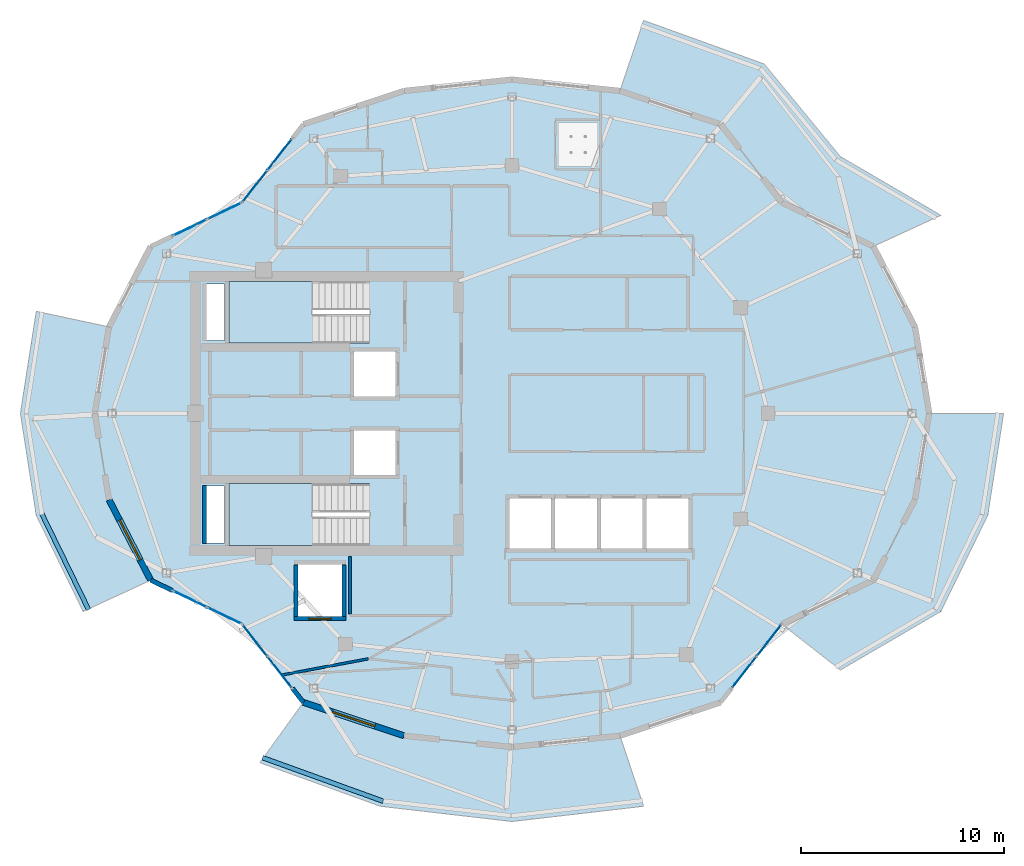
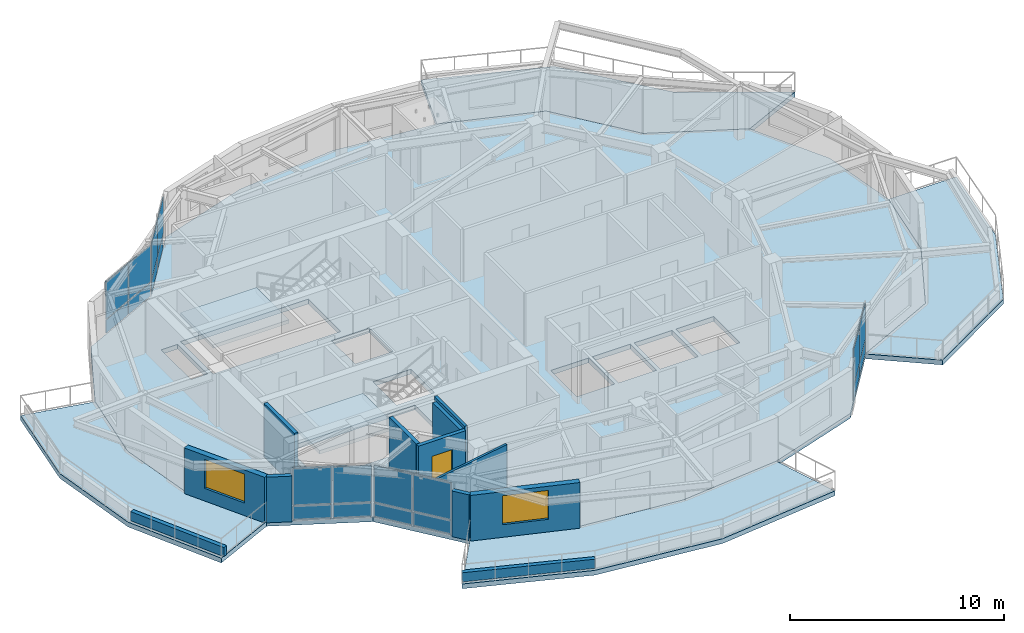
# One storey, part 7 of 15: 25 plates, 12 walls, 7 slabs, 2 windows, 1 door, 3 openings, 7 elements without a shape of their own.
"""IFC4 building model written with IfcOpenShell, lengths in metres."""

from ifc_helpers import new_model, si_unit, direction, frame, frame_2d, origin, origin_2d, place, context, subcontext, project, spatial, polyline, rectangle, outline, extrude, material, layer, layer_set, type_object, element, fill, aggregate, save


model = new_model("IFC4")

# Units and contexts
model_context = context("Model", 3, precision=1e-05, world=origin(), true_north=direction((0.0, 1.0)))
body_context = subcontext(model_context, "Body", "Model", "MODEL_VIEW")
ifc_project = project(units=[si_unit("LENGTHUNIT", "METRE"), si_unit("AREAUNIT", "SQUARE_METRE"), si_unit("VOLUMEUNIT", "CUBIC_METRE"), si_unit("PLANEANGLEUNIT", "RADIAN"), si_unit("MASSUNIT", "GRAM", prefix="KILO")], contexts=[model_context])

# Site, building, storey
site_placement = place(None, origin())
site = spatial("IfcSite", under=ifc_project, at=site_placement, CompositionType="ELEMENT")
building_placement = place(site_placement, origin())
building = spatial("IfcBuilding", under=site, at=building_placement, Name="Kolvaren Gate Tower and Convention Centre", CompositionType="ELEMENT")
storey_placement = place(building_placement, frame((0.0, 0.0, 265.699951171875)))
storey = spatial("IfcBuildingStorey", under=building, at=storey_placement, Name="L72", CompositionType="ELEMENT", Elevation=265.699951171875)

# Plates
ifc_material_1 = material(Name="Perforated Anodized Bronze Aluminium Sheet 6 mm", Category="aluminium")
ifc_layer_1 = layer(ifc_material_1, 0.011962890625)
ifc_layer_set_1 = layer_set([ifc_layer_1], Name="Perforated Anodized Bronze Aluminium Sheet 6 mm")
plate_type_1 = type_object("IfcPlateType", Name="ARCH-PL-SCREEN-PERF", PredefinedType="SHEET", material=ifc_layer_set_1)
for number, where, z_axis, x_axis, name in (
    (1, (18.352783203125, 39.2998046875, 2.18994140625), (0.0, 0.0, 1.0), (0.616429996253, 0.787409715281, 0.0), "Tower L72 Perforated Bronze Solar Screen SS-08"),
    (2, (14.59521484375, 36.2939453125, 2.18994140625), (0.0, 0.0, 1.0), (0.901356122373, 0.433078677218, 0.0), "Tower L72 Perforated Bronze Solar Screen SS-09"),
    (3, (14.59521484375, 17.7060546875, 2.18994140625), (0.0, 0.0, 1.0), (0.901356122373, -0.433078677218, 0.0), "Tower L72 Perforated Bronze Solar Screen SS-14"),
    (4, (18.352783203125, 14.7001953125, 2.18994140625), (0.0, 0.0, 1.0), (0.616429996253, -0.787409715281, 0.0), "Tower L72 Perforated Bronze Solar Screen SS-15"),
    (5, (41.897216796875, 14.7001953125, 2.18994140625), (0.0, 0.0, 1.0), (0.616429996253, 0.787409715281, 0.0), "Tower L72 Perforated Bronze Solar Screen SS-20"),
):
    element("IfcPlate", number, at=place(storey_placement, frame(where, z_axis=z_axis, x_axis=x_axis)), inside=storey, type_object=plate_type_1, Name=name, PredefinedType="SHEET", context=body_context, shape_type="SweptSolid", body=[
        extrude(rectangle(XDim=2.60009765625, YDim=0.011962890625, at=origin_2d()), origin(), (0.0, 0.0, 1.0), 0.840087890625),
    ])

# Curtain wall, plates
ifc_material_2 = material(Name="Anodized Architectural Aluminium Alloy 6063-T6", Category="aluminium")
ifc_layer_2 = layer(ifc_material_2, 0.159912109375)
ifc_layer_set_2 = layer_set([ifc_layer_2], Name="Anodized Architectural Aluminium Alloy 6063-T6")
curtain_wall_type = type_object("IfcCurtainWallType", Name="CW-RES-UNIT", PredefinedType="NOTDEFINED", material=ifc_layer_set_2)
curtain_wall_1_placement = place(storey_placement, origin())
curtain_wall_1 = element("IfcCurtainWall", 6, at=curtain_wall_1_placement, inside=storey, type_object=curtain_wall_type, Name="Tower L72 Unitised Curtain Wall CW-RES-UNIT Bay 08", PredefinedType="NOTDEFINED")
ifc_material_3 = material(Name="Low-E Triple Insulated Glazing Unit 44 mm", Category="glass")
ifc_layer_3 = layer(ifc_material_3, 0.0439453125)
ifc_layer_set_3 = layer_set([ifc_layer_3], Name="Low-E Triple Insulated Glazing Unit 44 mm")
plate_type_2 = type_object("IfcPlateType", Name="CW-PL-IGU-44", PredefinedType="CURTAIN_PANEL", material=ifc_layer_set_3)
plate_1_placement = place(storey_placement, frame((17.474365234375, 38.177978515625, 0.882568359375), z_axis=(0.0, 0.0, 1.0), x_axis=(0.616425867976, 0.787412947119, 0.0)))
plate_1 = element("IfcPlate", 7, at=plate_1_placement, type_object=plate_type_2, Name="CW-04 panel 1.2", PredefinedType="CURTAIN_PANEL", context=body_context, shape_type="SweptSolid", body=[
    extrude(rectangle(XDim=1.908447265625, YDim=0.0439453125, at=origin_2d()), origin(), (0.0, 0.0, 1.0), 2.08251953125),
])
plate_2_placement = place(storey_placement, frame((18.69091796875, 39.73193359375, 0.882568359375), z_axis=(0.0, 0.0, 1.0), x_axis=(0.616425867976, 0.787412947119, 0.0)))
plate_2 = element("IfcPlate", 8, at=plate_2_placement, type_object=plate_type_2, Name="CW-04 panel 2.2", PredefinedType="CURTAIN_PANEL", context=body_context, shape_type="SweptSolid", body=[
    extrude(rectangle(XDim=1.908447265625, YDim=0.0439453125, at=origin_2d()), origin(), (0.0, 0.0, 1.0), 2.08251953125),
])

curtain_wall_2_placement = place(storey_placement, origin())
curtain_wall_2 = element("IfcCurtainWall", 9, at=curtain_wall_2_placement, inside=storey, type_object=curtain_wall_type, Name="Tower L72 Unitised Curtain Wall CW-RES-UNIT Bay 09", PredefinedType="NOTDEFINED")
plate_3_placement = place(storey_placement, frame((14.282958984375, 36.143798828125, 0.882568359375), z_axis=(0.0, 0.0, 1.0), x_axis=(0.901360122469, 0.433070351816, 0.0)))
plate_3 = element("IfcPlate", 10, at=plate_3_placement, type_object=plate_type_2, Name="CW-04 panel 1.2", PredefinedType="CURTAIN_PANEL", context=body_context, shape_type="SweptSolid", body=[
    extrude(rectangle(XDim=1.80908203125, YDim=0.0439453125, at=origin_2d()), origin(), (0.0, 0.0, 1.0), 2.08251953125),
])
plate_4_placement = place(storey_placement, frame((15.97216796875, 36.95556640625, 0.882568359375), z_axis=(0.0, 0.0, 1.0), x_axis=(0.901360122469, 0.433070351816, 0.0)))
plate_4 = element("IfcPlate", 11, at=plate_4_placement, type_object=plate_type_2, Name="CW-04 panel 2.2", PredefinedType="CURTAIN_PANEL", context=body_context, shape_type="SweptSolid", body=[
    extrude(rectangle(XDim=1.80908203125, YDim=0.0439453125, at=origin_2d()), origin(), (0.0, 0.0, 1.0), 2.08251953125),
])

curtain_wall_3_placement = place(storey_placement, origin())
curtain_wall_3 = element("IfcCurtainWall", 12, at=curtain_wall_3_placement, inside=storey, type_object=curtain_wall_type, Name="Tower L72 Unitised Curtain Wall CW-RES-UNIT Bay 14", PredefinedType="NOTDEFINED")
plate_5_placement = place(storey_placement, frame((14.282958984375, 17.856201171875, 0.882568359375), z_axis=(0.0, 0.0, 1.0), x_axis=(0.901360122469, -0.433070351816, 0.0)))
plate_5 = element("IfcPlate", 13, at=plate_5_placement, type_object=plate_type_2, Name="CW-04 panel 1.2", PredefinedType="CURTAIN_PANEL", context=body_context, shape_type="SweptSolid", body=[
    extrude(rectangle(XDim=1.80908203125, YDim=0.0439453125, at=origin_2d()), origin(), (0.0, 0.0, 1.0), 2.08251953125),
])
plate_6_placement = place(storey_placement, frame((15.97216796875, 17.04443359375, 0.882568359375), z_axis=(0.0, 0.0, 1.0), x_axis=(0.901360122469, -0.433070351816, 0.0)))
plate_6 = element("IfcPlate", 14, at=plate_6_placement, type_object=plate_type_2, Name="CW-04 panel 2.2", PredefinedType="CURTAIN_PANEL", context=body_context, shape_type="SweptSolid", body=[
    extrude(rectangle(XDim=1.80908203125, YDim=0.0439453125, at=origin_2d()), origin(), (0.0, 0.0, 1.0), 2.08251953125),
])

curtain_wall_4_placement = place(storey_placement, origin())
curtain_wall_4 = element("IfcCurtainWall", 15, at=curtain_wall_4_placement, inside=storey, type_object=curtain_wall_type, Name="Tower L72 Unitised Curtain Wall CW-RES-UNIT Bay 15", PredefinedType="NOTDEFINED")
plate_7_placement = place(storey_placement, frame((17.474365234375, 15.822021484375, 0.882568359375), z_axis=(0.0, 0.0, 1.0), x_axis=(0.616425867976, -0.787412947119, 0.0)))
plate_7 = element("IfcPlate", 16, at=plate_7_placement, type_object=plate_type_2, Name="CW-04 panel 1.2", PredefinedType="CURTAIN_PANEL", context=body_context, shape_type="SweptSolid", body=[
    extrude(rectangle(XDim=1.908447265625, YDim=0.0439453125, at=origin_2d()), origin(), (0.0, 0.0, 1.0), 2.08251953125),
])
plate_8_placement = place(storey_placement, frame((18.69091796875, 14.26806640625, 0.882568359375), z_axis=(0.0, 0.0, 1.0), x_axis=(0.616425867976, -0.787412947119, 0.0)))
plate_8 = element("IfcPlate", 17, at=plate_8_placement, type_object=plate_type_2, Name="CW-04 panel 2.2", PredefinedType="CURTAIN_PANEL", context=body_context, shape_type="SweptSolid", body=[
    extrude(rectangle(XDim=1.908447265625, YDim=0.0439453125, at=origin_2d()), origin(), (0.0, 0.0, 1.0), 2.08251953125),
])

curtain_wall_5_placement = place(storey_placement, origin())
curtain_wall_5 = element("IfcCurtainWall", 18, at=curtain_wall_5_placement, inside=storey, type_object=curtain_wall_type, Name="Tower L72 Unitised Curtain Wall CW-RES-UNIT Bay 20", PredefinedType="NOTDEFINED")
plate_9_placement = place(storey_placement, frame((41.558837890625, 14.267822265625, 0.882568359375), z_axis=(0.0, 0.0, 1.0), x_axis=(0.616432579226, 0.787407693173, 0.0)))
plate_9 = element("IfcPlate", 19, at=plate_9_placement, type_object=plate_type_2, Name="CW-04 panel 1.2", PredefinedType="CURTAIN_PANEL", context=body_context, shape_type="SweptSolid", body=[
    extrude(rectangle(XDim=1.90869140625, YDim=0.0439453125, at=origin_2d()), origin(), (0.0, 0.0, 1.0), 2.08251953125),
])
plate_10_placement = place(storey_placement, frame((42.775634765625, 15.822021484375, 0.882568359375), z_axis=(0.0, 0.0, 1.0), x_axis=(0.616432579226, 0.787407693173, 0.0)))
plate_10 = element("IfcPlate", 20, at=plate_10_placement, type_object=plate_type_2, Name="CW-04 panel 2.2", PredefinedType="CURTAIN_PANEL", context=body_context, shape_type="SweptSolid", body=[
    extrude(rectangle(XDim=1.90869140625, YDim=0.0439453125, at=origin_2d()), origin(), (0.0, 0.0, 1.0), 2.08251953125),
])

# Plate
ifc_material_4 = material(Name="Solar-Control Laminated Curtain Glazing 36 mm", Category="glass")
ifc_layer_4 = layer(ifc_material_4, 0.035888671875)
ifc_layer_set_4 = layer_set([ifc_layer_4], Name="Solar-Control Laminated Curtain Glazing 36 mm")
plate_type_3 = type_object("IfcPlateType", Name="CW-PL-SPAN-36", PredefinedType="CURTAIN_PANEL", material=ifc_layer_set_4)
plate_11_placement = place(storey_placement, frame((17.474365234375, 38.177978515625, 0.065185546875), z_axis=(0.0, 0.0, 1.0), x_axis=(0.616425867976, 0.787412947119, 0.0)))
plate_11 = element("IfcPlate", 21, at=plate_11_placement, type_object=plate_type_3, Name="CW-04 panel 1.1", PredefinedType="CURTAIN_PANEL", context=body_context, shape_type="SweptSolid", body=[
    extrude(rectangle(XDim=1.908447265625, YDim=0.035888671875, at=origin_2d()), origin(), (0.0, 0.0, 1.0), 0.75244140625),
])

plate_12_placement = place(storey_placement, frame((18.69091796875, 39.73193359375, 0.065185546875), z_axis=(0.0, 0.0, 1.0), x_axis=(0.616425867976, 0.787412947119, 0.0)))
plate_12 = element("IfcPlate", 22, at=plate_12_placement, type_object=plate_type_3, Name="CW-04 panel 2.1", PredefinedType="CURTAIN_PANEL", context=body_context, shape_type="SweptSolid", body=[
    extrude(rectangle(XDim=1.908447265625, YDim=0.035888671875, at=origin_2d()), origin(), (0.0, 0.0, 1.0), 0.75244140625),
])

aggregate(curtain_wall_1, [plate_11, plate_1, plate_12, plate_2])

plate_13_placement = place(storey_placement, frame((14.282958984375, 36.143798828125, 0.065185546875), z_axis=(0.0, 0.0, 1.0), x_axis=(0.901360122469, 0.433070351816, 0.0)))
plate_13 = element("IfcPlate", 23, at=plate_13_placement, type_object=plate_type_3, Name="CW-04 panel 1.1", PredefinedType="CURTAIN_PANEL", context=body_context, shape_type="SweptSolid", body=[
    extrude(rectangle(XDim=1.80908203125, YDim=0.035888671875, at=origin_2d()), origin(), (0.0, 0.0, 1.0), 0.75244140625),
])

plate_14_placement = place(storey_placement, frame((15.97216796875, 36.95556640625, 0.065185546875), z_axis=(0.0, 0.0, 1.0), x_axis=(0.901360122469, 0.433070351816, 0.0)))
plate_14 = element("IfcPlate", 24, at=plate_14_placement, type_object=plate_type_3, Name="CW-04 panel 2.1", PredefinedType="CURTAIN_PANEL", context=body_context, shape_type="SweptSolid", body=[
    extrude(rectangle(XDim=1.80908203125, YDim=0.035888671875, at=origin_2d()), origin(), (0.0, 0.0, 1.0), 0.75244140625),
])

aggregate(curtain_wall_2, [plate_13, plate_3, plate_14, plate_4])

plate_15_placement = place(storey_placement, frame((14.282958984375, 17.856201171875, 0.065185546875), z_axis=(0.0, 0.0, 1.0), x_axis=(0.901360122469, -0.433070351816, 0.0)))
plate_15 = element("IfcPlate", 25, at=plate_15_placement, type_object=plate_type_3, Name="CW-04 panel 1.1", PredefinedType="CURTAIN_PANEL", context=body_context, shape_type="SweptSolid", body=[
    extrude(rectangle(XDim=1.80908203125, YDim=0.035888671875, at=origin_2d()), origin(), (0.0, 0.0, 1.0), 0.75244140625),
])

plate_16_placement = place(storey_placement, frame((15.97216796875, 17.04443359375, 0.065185546875), z_axis=(0.0, 0.0, 1.0), x_axis=(0.901360122469, -0.433070351816, 0.0)))
plate_16 = element("IfcPlate", 26, at=plate_16_placement, type_object=plate_type_3, Name="CW-04 panel 2.1", PredefinedType="CURTAIN_PANEL", context=body_context, shape_type="SweptSolid", body=[
    extrude(rectangle(XDim=1.80908203125, YDim=0.035888671875, at=origin_2d()), origin(), (0.0, 0.0, 1.0), 0.75244140625),
])

aggregate(curtain_wall_3, [plate_15, plate_5, plate_16, plate_6])

plate_17_placement = place(storey_placement, frame((17.474365234375, 15.822021484375, 0.065185546875), z_axis=(0.0, 0.0, 1.0), x_axis=(0.616425867976, -0.787412947119, 0.0)))
plate_17 = element("IfcPlate", 27, at=plate_17_placement, type_object=plate_type_3, Name="CW-04 panel 1.1", PredefinedType="CURTAIN_PANEL", context=body_context, shape_type="SweptSolid", body=[
    extrude(rectangle(XDim=1.908447265625, YDim=0.035888671875, at=origin_2d()), origin(), (0.0, 0.0, 1.0), 0.75244140625),
])

plate_18_placement = place(storey_placement, frame((18.69091796875, 14.26806640625, 0.065185546875), z_axis=(0.0, 0.0, 1.0), x_axis=(0.616425867976, -0.787412947119, 0.0)))
plate_18 = element("IfcPlate", 28, at=plate_18_placement, type_object=plate_type_3, Name="CW-04 panel 2.1", PredefinedType="CURTAIN_PANEL", context=body_context, shape_type="SweptSolid", body=[
    extrude(rectangle(XDim=1.908447265625, YDim=0.035888671875, at=origin_2d()), origin(), (0.0, 0.0, 1.0), 0.75244140625),
])

aggregate(curtain_wall_4, [plate_17, plate_7, plate_18, plate_8])

plate_19_placement = place(storey_placement, frame((41.558837890625, 14.267822265625, 0.065185546875), z_axis=(0.0, 0.0, 1.0), x_axis=(0.616432579226, 0.787407693173, 0.0)))
plate_19 = element("IfcPlate", 29, at=plate_19_placement, type_object=plate_type_3, Name="CW-04 panel 1.1", PredefinedType="CURTAIN_PANEL", context=body_context, shape_type="SweptSolid", body=[
    extrude(rectangle(XDim=1.90869140625, YDim=0.035888671875, at=origin_2d()), origin(), (0.0, 0.0, 1.0), 0.75244140625),
])

plate_20_placement = place(storey_placement, frame((42.775634765625, 15.822021484375, 0.065185546875), z_axis=(0.0, 0.0, 1.0), x_axis=(0.616432579226, 0.787407693173, 0.0)))
plate_20 = element("IfcPlate", 30, at=plate_20_placement, type_object=plate_type_3, Name="CW-04 panel 2.1", PredefinedType="CURTAIN_PANEL", context=body_context, shape_type="SweptSolid", body=[
    extrude(rectangle(XDim=1.90869140625, YDim=0.035888671875, at=origin_2d()), origin(), (0.0, 0.0, 1.0), 0.75244140625),
])

aggregate(curtain_wall_5, [plate_19, plate_9, plate_20, plate_10])

# Slabs
ifc_material_5 = material(Name="Concrete C50/60", Category="concrete")
ifc_layer_5 = layer(ifc_material_5, 0.27001953125)
ifc_layer_set_5 = layer_set([ifc_layer_5], Name="Concrete C50/60")
slab_type_1 = type_object("IfcSlabType", Name="STR-SL-BALC-270", PredefinedType="FLOOR", material=ifc_layer_set_5)
slab_1_placement = place(storey_placement, frame((0.0, 0.0, -0.27001953125)))
element("IfcSlab", 31, at=slab_1_placement, inside=storey, type_object=slab_type_1, Name="Tower L72 Planted Balcony Terrace Slab 1 (North)", PredefinedType="FLOOR", context=body_context, shape_type="SweptSolid", body=[
    extrude(outline(polyline([(47.905517578125, 35.21240234375), (43.40380859375, 37.37548828125), (40.390625, 41.224609375), (35.43896484375, 42.865234375), (36.601318359375, 46.335693359375), (42.532470703125, 44.1923828125), (46.287841796875, 39.62890625), (51.228271484375, 36.747314453125), (47.905517578125, 35.21240234375)])), origin(), (0.0, 0.0, 1.0), 0.27001953125),
])
slab_2_placement = place(storey_placement, frame((0.0, 0.0, -0.27001953125)))
element("IfcSlab", 32, at=slab_2_placement, inside=storey, type_object=slab_type_1, Name="Tower L72 Planted Balcony Terrace Slab 2 (West)", PredefinedType="FLOOR", context=body_context, shape_type="SweptSolid", body=[
    extrude(outline(polyline([(10.293212890625, 31.251220703125), (9.59375, 27.0), (10.293212890625, 22.748779296875), (12.344482421875, 18.78759765625), (9.021728515625, 17.252685546875), (6.714599609375, 21.981689453125), (5.933837890625, 27.0), (6.714599609375, 32.018310546875), (10.293212890625, 31.251220703125)])), origin(), (0.0, 0.0, 1.0), 0.27001953125),
])
slab_3_placement = place(storey_placement, frame((0.0, 0.0, -0.27001953125)))
element("IfcSlab", 33, at=slab_3_placement, inside=storey, type_object=slab_type_1, Name="Tower L72 Planted Balcony Terrace Slab 3 (South)", PredefinedType="FLOOR", context=body_context, shape_type="SweptSolid", body=[
    extrude(outline(polyline([(19.859375, 12.775390625), (24.81103515625, 11.134765625), (30.125, 10.574951171875), (35.43896484375, 11.134765625), (36.601318359375, 7.664306640625), (30.125, 6.9150390625), (23.648681640625, 7.664306640625), (17.717529296875, 9.8076171875), (19.859375, 12.775390625)])), origin(), (0.0, 0.0, 1.0), 0.27001953125),
])
slab_4_placement = place(storey_placement, frame((0.0, 0.0, -0.27001953125)))
element("IfcSlab", 34, at=slab_4_placement, inside=storey, type_object=slab_type_1, Name="Tower L72 Planted Balcony Terrace Slab 4 (East)", PredefinedType="FLOOR", context=body_context, shape_type="SweptSolid", body=[
    extrude(outline(polyline([(43.40380859375, 16.62451171875), (47.905517578125, 18.78759765625), (49.956787109375, 22.748779296875), (50.65625, 27.0), (54.316162109375, 27.0), (53.535400390625, 21.981689453125), (51.228271484375, 17.252685546875), (46.287841796875, 14.37109375), (43.40380859375, 16.62451171875)])), origin(), (0.0, 0.0, 1.0), 0.27001953125),
])
ifc_material_6 = material(Name="Concrete C40/50", Category="concrete")
ifc_layer_6 = layer(ifc_material_6, 0.27001953125)
ifc_layer_set_6 = layer_set([ifc_layer_6], Name="Concrete C40/50")
slab_type_2 = type_object("IfcSlabType", Name="STR-SL-FLR-270", PredefinedType="FLOOR", material=ifc_layer_set_6)
slab_5_placement = place(storey_placement, frame((0.0, 0.0, -0.27001953125)))
element("IfcSlab", 35, at=slab_5_placement, inside=storey, type_object=slab_type_2, Name="Tower L72 Structural Floor Slab", PredefinedType="FLOOR", context=body_context, shape_type="SweptSolid", body=[
    extrude(outline(polyline([(50.65625, 27.0), (49.95654296875, 31.251220703125), (47.905517578125, 35.21240234375), (43.40380859375, 37.37548828125), (40.390625, 41.224609375), (35.43896484375, 42.865234375), (30.125, 43.425048828125), (24.81103515625, 42.865234375), (19.859375, 41.224609375), (16.84619140625, 37.37548828125), (12.344482421875, 35.21240234375), (10.29345703125, 31.251220703125), (9.59375, 27.0), (10.29345703125, 22.748779296875), (12.344482421875, 18.78759765625), (16.84619140625, 16.62451171875), (19.859375, 12.775390625), (24.81103515625, 11.134765625), (30.125, 10.574951171875), (35.43896484375, 11.134765625), (40.390625, 12.775390625), (43.40380859375, 16.62451171875), (47.905517578125, 18.78759765625), (49.95654296875, 22.748779296875), (50.65625, 27.0)]), holes=[polyline([(36.75, 20.35009765625), (36.75, 22.800048828125), (38.800048828125, 22.800048828125), (38.800048828125, 20.35009765625), (36.75, 20.35009765625)]), polyline([(36.550048828125, 20.35009765625), (34.5, 20.35009765625), (34.5, 22.800048828125), (36.550048828125, 22.800048828125), (36.550048828125, 20.35009765625)]), polyline([(32.25, 20.35009765625), (32.25, 22.800048828125), (34.300048828125, 22.800048828125), (34.300048828125, 20.35009765625), (32.25, 20.35009765625)]), polyline([(30.0, 20.35009765625), (30.0, 22.800048828125), (32.050048828125, 22.800048828125), (32.050048828125, 20.35009765625), (30.0, 20.35009765625)]), polyline([(22.35009765625, 23.9599609375), (22.35009765625, 26.159912109375), (24.39990234375, 26.159912109375), (24.39990234375, 23.9599609375), (22.35009765625, 23.9599609375)]), polyline([(22.35009765625, 27.840087890625), (22.35009765625, 30.0400390625), (24.39990234375, 30.0400390625), (24.39990234375, 27.840087890625), (22.35009765625, 27.840087890625)]), polyline([(16.199951171875, 23.5400390625), (23.10009765625, 23.5400390625), (23.10009765625, 20.5), (16.199951171875, 20.5), (16.199951171875, 23.5400390625)]), polyline([(16.199951171875, 33.5), (23.10009765625, 33.5), (23.10009765625, 30.4599609375), (16.199951171875, 30.4599609375), (16.199951171875, 33.5)]), polyline([(21.75, 17.0), (19.60009765625, 17.0), (19.60009765625, 19.550048828125), (21.75, 19.550048828125), (21.75, 17.0)]), polyline([(15.080078125, 30.580078125), (15.080078125, 33.3701171875), (15.969970703125, 33.3701171875), (15.969970703125, 30.580078125), (15.080078125, 30.580078125)]), polyline([(15.969970703125, 20.6298828125), (15.080078125, 20.6298828125), (15.080078125, 23.419921875), (15.969970703125, 23.419921875), (15.969970703125, 20.6298828125)])]), origin(), (0.0, 0.0, 1.0), 0.27001953125),
])

# Stair, slab
stair_type = type_object("IfcStairType", Name="STR-STAIR-CORE", PredefinedType="HALF_TURN_STAIR", material=ifc_material_5)
stair_1_placement = place(storey_placement, origin())
stair_1 = element("IfcStair", 36, at=stair_1_placement, inside=storey, type_object=stair_type, Name="L72 Tower North Exit Stair ST-T1", PredefinedType="HALF_TURN_STAIR")
ifc_layer_7 = layer(ifc_material_5, 0.199951171875)
ifc_layer_set_7 = layer_set([ifc_layer_7], Name="Concrete C50/60")
slab_type_3 = type_object("IfcSlabType", Name="STR-SL-LAND-200", PredefinedType="LANDING", material=ifc_layer_set_7)
slab_6_placement = place(storey_placement, frame((0.0, 0.0, 1.449951171875)))
slab_6 = element("IfcSlab", 37, at=slab_6_placement, type_object=slab_type_3, Name="ST-T1 landing 1", PredefinedType="LANDING", context=body_context, shape_type="SweptSolid", body=[
    extrude(outline(polyline([(20.31005859375, 33.5), (16.199951171875, 33.5), (16.199951171875, 30.4599609375), (20.31005859375, 30.4599609375), (20.31005859375, 33.5)])), origin(), (0.0, 0.0, 1.0), 0.2001953125),
])
aggregate(stair_1, [slab_6])

stair_2_placement = place(storey_placement, origin())
stair_2 = element("IfcStair", 38, at=stair_2_placement, inside=storey, type_object=stair_type, Name="L72 Tower South Exit Stair ST-T2", PredefinedType="HALF_TURN_STAIR")
slab_7_placement = place(storey_placement, frame((0.0, 0.0, 1.449951171875)))
slab_7 = element("IfcSlab", 39, at=slab_7_placement, type_object=slab_type_3, Name="ST-T2 landing 1", PredefinedType="LANDING", context=body_context, shape_type="SweptSolid", body=[
    extrude(outline(polyline([(20.31005859375, 23.5400390625), (16.199951171875, 23.5400390625), (16.199951171875, 20.5), (20.31005859375, 20.5), (20.31005859375, 23.5400390625)])), origin(), (0.0, 0.0, 1.0), 0.2001953125),
])
aggregate(stair_2, [slab_7])

# Walls
ifc_material_7 = material(Name="Fire-Rated Acoustic Gypsum Stud Partition", Category="gypsum")
ifc_layer_8 = layer(ifc_material_7, 0.1201171875)
ifc_layer_set_8 = layer_set([ifc_layer_8], Name="Fire-Rated Acoustic Gypsum Stud Partition")
wall_type_1 = type_object("IfcWallType", Name="ARCH-WL-PART-120", PredefinedType="PARTITIONING", material=ifc_layer_set_8)
wall_1_placement = place(storey_placement, frame((18.82958984375, 14.12841796875, 0.0), z_axis=(0.0, 0.0, 1.0), x_axis=(0.982944764822, 0.183901031288, 0.0)))
element("IfcWall", 40, at=wall_1_placement, inside=storey, type_object=wall_type_1, Name="Interior Partition WL-L72-INT-050", PredefinedType="PARTITIONING", context=body_context, shape_type="SweptSolid", body=[
    extrude(rectangle(XDim=4.298583984375, YDim=0.1201171875, at=frame_2d((2.1494140625, 0.0))), origin(), (0.0, 0.0, 1.0), 3.030029296875),
])
ifc_material_8 = material(Name="Bogota Sabana Bush-Hammered Sandstone Cladding", Category="masonry")
ifc_layer_9 = layer(ifc_material_8, 0.219970703125)
ifc_layer_set_9 = layer_set([ifc_layer_9], Name="Bogota Sabana Bush-Hammered Sandstone Cladding")
wall_type_2 = type_object("IfcWallType", Name="ARCH-WL-PIER-220", PredefinedType="SOLIDWALL", material=ifc_layer_set_9)
wall_2_placement = place(storey_placement, frame((12.344482421875, 18.78759765625, 0.0), z_axis=(0.0, 0.0, 1.0), x_axis=(0.901264843027, -0.433268603437, 0.0)))
element("IfcWall", 41, at=wall_2_placement, inside=storey, type_object=wall_type_2, Name="Tower L72 Unitised Curtain Wall CW-RES-UNIT Bay 14 Left Column Pier Wrap", PredefinedType="SOLIDWALL", context=body_context, shape_type="SweptSolid", body=[
    extrude(rectangle(XDim=1.18115234375, YDim=0.219970703125, at=frame_2d((0.590576171875, 0.0))), origin(), (0.0, 0.0, 1.0), 2.60498046875),
])
wall_3_placement = place(storey_placement, frame((19.319091796875, 13.465576171875, 0.0), z_axis=(0.0, 0.0, 1.0), x_axis=(0.61640589237, -0.787428584604, 0.0)))
element("IfcWall", 42, at=wall_3_placement, inside=storey, type_object=wall_type_2, Name="Tower L72 Unitised Curtain Wall CW-RES-UNIT Bay 15 Right Column Pier Wrap", PredefinedType="SOLIDWALL", context=body_context, shape_type="SweptSolid", body=[
    extrude(rectangle(XDim=0.87646484375, YDim=0.219970703125, at=frame_2d((0.438232421875, 0.0))), origin(), (0.0, 0.0, 1.0), 2.60498046875),
])
ifc_material_9 = material(Name="Piedmont Cream Honed Limestone Cladding", Category="masonry")
ifc_layer_10 = layer(ifc_material_9, 0.219970703125)
ifc_layer_set_10 = layer_set([ifc_layer_10], Name="Piedmont Cream Honed Limestone Cladding")
wall_type_3 = type_object("IfcWallType", Name="ARCH-WL-PLANTER-220", PredefinedType="PARAPET", material=ifc_layer_set_10)
wall_4_placement = place(storey_placement, frame((6.98046875, 22.070068359375, 0.0), z_axis=(0.0, 0.0, 1.0), x_axis=(0.438469339137, -0.898746148051, 0.0)))
element("IfcWall", 43, at=wall_4_placement, inside=storey, type_object=wall_type_3, Name="Vertical-Forest Balcony Stone Planter Kerb PK-L72-2.3", PredefinedType="PARAPET", context=body_context, shape_type="SweptSolid", body=[
    extrude(rectangle(XDim=5.26171875, YDim=0.219970703125, at=frame_2d((2.630859375, 0.0))), origin(), (0.0, 0.0, 1.0), 0.52001953125),
])
wall_5_placement = place(storey_placement, frame((17.84619140625, 10.056396484375, 0.0), z_axis=(0.0, 0.0, 1.0), x_axis=(0.940465240036, -0.339889882585, 0.0)))
element("IfcWall", 44, at=wall_5_placement, inside=storey, type_object=wall_type_3, Name="Vertical-Forest Balcony Stone Planter Kerb PK-L72-3.1", PredefinedType="PARAPET", context=body_context, shape_type="SweptSolid", body=[
    extrude(rectangle(XDim=6.306640625, YDim=0.219970703125, at=frame_2d((3.1533203125, 0.0))), origin(), (0.0, 0.0, 1.0), 0.52001953125),
])

# Wall, opening, door
ifc_material_10 = material(Name="Autoclaved Aerated Masonry Blockwork Class 4 (4.0 MPa)", Category="masonry")
ifc_layer_11 = layer(ifc_material_10, 0.199951171875)
ifc_layer_set_11 = layer_set([ifc_layer_11], Name="Autoclaved Aerated Masonry Blockwork Class 4 (4.0 MPa)")
wall_type_4 = type_object("IfcWallType", Name="ARCH-WL-SHAFT-200", PredefinedType="SOLIDWALL", material=ifc_layer_set_11)
wall_6_placement = place(storey_placement, frame((19.39990234375, 16.89990234375, 0.0), z_axis=(0.0, 0.0, 1.0), x_axis=(1.0, 0.0, 0.0)))
wall_6 = element("IfcWall", 45, at=wall_6_placement, inside=storey, type_object=wall_type_4, Name="Elevator SV-01 L72 Fire Shaft Wall S", PredefinedType="SOLIDWALL", context=body_context, shape_type="SweptSolid", body=[
    extrude(rectangle(XDim=2.550048828125, YDim=0.199951171875, at=frame_2d((1.27490234375, 0.0))), origin(), (0.0, 0.0, 1.0), 3.030029296875),
])
opening_1_placement = place(wall_6_placement, frame((0.72509765625, 0.0, 0.0)))
opening_1 = element("IfcOpeningElement", 46, at=opening_1_placement, cuts=wall_6, Name="Opening LD", PredefinedType="OPENING", context=body_context, shape_type="SweptSolid", body=[
    extrude(rectangle(XDim=1.10009765625, YDim=2.199951171875, at=frame_2d((0.550048828125, 1.10009765625))), frame((0.0, 0.10986328125, 0.0), z_axis=(0.0, -1.0, 0.0), x_axis=(1.0, 0.0, 0.0)), (0.0, 0.0, 1.0), 0.219970703125),
])
ifc_material_11 = material(Name="Brushed Stainless Steel Grade 316L", Category="steel")
door_type = type_object("IfcDoorType", Name="ARCH-DR-LIFT-1100", OperationType="SLIDING_TO_LEFT", PredefinedType="DOOR", material=ifc_material_11)
door_placement = place(opening_1_placement, origin())
door = element("IfcDoor", 47, at=door_placement, inside=storey, type_object=door_type, Name="Elevator SV-01 L72 Sliding Landing Door", OperationType="SLIDING_TO_LEFT", OverallHeight=2.199951171875, OverallWidth=1.10009765625, PredefinedType="DOOR", context=body_context, shape_type="SweptSolid", body=[
    extrude(rectangle(XDim=1.10009765625, YDim=2.199951171875, at=frame_2d((0.550048828125, 1.10009765625))), frame((0.0, 0.02490234375, 0.0), z_axis=(0.0, -1.0, 0.0), x_axis=(1.0, 0.0, 0.0)), (0.0, 0.0, 1.0), 0.050048828125),
])
fill(opening_1, door)

# Walls
for number, where, z_axis, x_axis, name in (
    (48, (19.5, 17.010009765625, 0.0), (0.0, 0.0, 1.0), (0.0, 1.0, 0.0), "Elevator SV-01 L72 Fire Shaft Wall W"),
    (49, (21.85009765625, 17.010009765625, 0.0), (0.0, 0.0, 1.0), (0.0, 1.0, 0.0), "Elevator SV-01 L72 Fire Shaft Wall E"),
):
    element("IfcWall", number, at=place(storey_placement, frame(where, z_axis=z_axis, x_axis=x_axis)), inside=storey, type_object=wall_type_4, Name=name, PredefinedType="SOLIDWALL", context=body_context, shape_type="SweptSolid", body=[
        extrude(rectangle(XDim=2.530029296875, YDim=0.199951171875, at=frame_2d((1.26513671875, 0.0))), origin(), (0.0, 0.0, 1.0), 3.030029296875),
    ])
wall_7_placement = place(storey_placement, frame((14.989990234375, 20.60009765625, 0.0), z_axis=(0.0, 0.0, 1.0), x_axis=(0.0, 1.0, 0.0)))
element("IfcWall", 50, at=wall_7_placement, inside=storey, type_object=wall_type_4, Name="Vertical Shaft MPR L72 EI-120 Enclosure Wall W", PredefinedType="SOLIDWALL", context=body_context, shape_type="SweptSolid", body=[
    extrude(rectangle(XDim=2.849853515625, YDim=0.199951171875, at=frame_2d((1.4248046875, 0.0))), origin(), (0.0, 0.0, 1.0), 3.030029296875),
])

# Wall, opening, window
ifc_layer_12 = layer(ifc_material_9, 0.300048828125)
ifc_layer_set_12 = layer_set([ifc_layer_12], Name="Piedmont Cream Honed Limestone Cladding")
wall_type_5 = type_object("IfcWallType", Name="ARCH-WL-STONE-300", PredefinedType="SOLIDWALL", material=ifc_layer_set_12)
wall_8_placement = place(storey_placement, frame((10.29345703125, 22.748779296875, 0.0), z_axis=(0.0, 0.0, 1.0), x_axis=(0.459801070243, -0.888021945564, 0.0)))
wall_8 = element("IfcWall", 51, at=wall_8_placement, inside=storey, type_object=wall_type_5, Name="Tower L72 Honed Stone Spandrel Wall EW-13", PredefinedType="SOLIDWALL", context=body_context, shape_type="SweptSolid", body=[
    extrude(rectangle(XDim=4.460693359375, YDim=0.300048828125, at=frame_2d((2.23046875, 0.0))), origin(), (0.0, 0.0, 1.0), 2.60498046875),
])
opening_2_placement = place(wall_8_placement, frame((1.1298828125, 0.0, 0.719970703125)))
opening_2 = element("IfcOpeningElement", 52, at=opening_2_placement, cuts=wall_8, Name="Opening W-03", PredefinedType="OPENING", context=body_context, shape_type="SweptSolid", body=[
    extrude(rectangle(XDim=2.199951171875, YDim=1.64990234375, at=frame_2d((1.10009765625, 0.824951171875))), frame((0.0, 0.159912109375, 0.0), z_axis=(0.0, -1.0, 0.0), x_axis=(1.0, 0.0, 0.0)), (0.0, 0.0, 1.0), 0.320068359375),
])
window_type = type_object("IfcWindowType", Name="ARCH-WN-RES-2200", PartitioningType="SINGLE_PANEL", PredefinedType="WINDOW", material=ifc_material_3)
window_1_placement = place(opening_2_placement, origin())
window_1 = element("IfcWindow", 53, at=window_1_placement, inside=storey, type_object=window_type, Name="Tower L72 Punched Stone Facade Window W-13", OverallHeight=1.64990234375, OverallWidth=2.199951171875, PartitioningType="SINGLE_PANEL", PredefinedType="WINDOW", context=body_context, shape_type="SweptSolid", body=[
    extrude(rectangle(XDim=2.199951171875, YDim=1.64990234375, at=frame_2d((1.10009765625, 0.824951171875))), frame((0.0, 0.030029296875, 0.0), z_axis=(0.0, -1.0, 0.0), x_axis=(1.0, 0.0, 0.0)), (0.0, 0.0, 1.0), 0.06005859375),
])
fill(opening_2, window_1)

wall_9_placement = place(storey_placement, frame((19.859375, 12.775390625, 0.0), z_axis=(0.0, 0.0, 1.0), x_axis=(0.949252744709, -0.314514271001, 0.0)))
wall_9 = element("IfcWall", 54, at=wall_9_placement, inside=storey, type_object=wall_type_5, Name="Tower L72 Honed Stone Spandrel Wall EW-16", PredefinedType="SOLIDWALL", context=body_context, shape_type="SweptSolid", body=[
    extrude(rectangle(XDim=5.21630859375, YDim=0.300048828125, at=frame_2d((2.608154296875, 0.0))), origin(), (0.0, 0.0, 1.0), 2.60498046875),
])
opening_3_placement = place(wall_9_placement, frame((1.508056640625, 0.0, 0.719970703125)))
opening_3 = element("IfcOpeningElement", 55, at=opening_3_placement, cuts=wall_9, Name="Opening W-03", PredefinedType="OPENING", context=body_context, shape_type="SweptSolid", body=[
    extrude(rectangle(XDim=2.199951171875, YDim=1.64990234375, at=frame_2d((1.10009765625, 0.824951171875))), frame((0.0, 0.159912109375, 0.0), z_axis=(0.0, -1.0, 0.0), x_axis=(1.0, 0.0, 0.0)), (0.0, 0.0, 1.0), 0.320068359375),
])
window_2_placement = place(opening_3_placement, origin())
window_2 = element("IfcWindow", 56, at=window_2_placement, inside=storey, type_object=window_type, Name="Tower L72 Punched Stone Facade Window W-16", OverallHeight=1.64990234375, OverallWidth=2.199951171875, PartitioningType="SINGLE_PANEL", PredefinedType="WINDOW", context=body_context, shape_type="SweptSolid", body=[
    extrude(rectangle(XDim=2.199951171875, YDim=1.64990234375, at=frame_2d((1.10009765625, 0.824951171875))), frame((0.0, 0.030029296875, 0.0), z_axis=(0.0, -1.0, 0.0), x_axis=(1.0, 0.0, 0.0)), (0.0, 0.0, 1.0), 0.06005859375),
])
fill(opening_3, window_2)

# Wall
ifc_material_12 = material(Name="Moisture-Resistant Cement-Board Acoustic Partition", Category="gypsum")
ifc_layer_13 = layer(ifc_material_12, 0.14990234375)
ifc_layer_set_13 = layer_set([ifc_layer_13], Name="Moisture-Resistant Cement-Board Acoustic Partition")
wall_type_6 = type_object("IfcWallType", Name="ARCH-WL-WET-150", PredefinedType="PARTITIONING", material=ifc_layer_set_13)
wall_10_placement = place(storey_placement, frame((22.14990234375, 17.126953125, 0.0), z_axis=(0.0, 0.0, 1.0), x_axis=(0.0, 1.0, 0.0)))
element("IfcWall", 57, at=wall_10_placement, inside=storey, type_object=wall_type_6, Name="Interior Partition WL-L72-INT-010", PredefinedType="PARTITIONING", context=body_context, shape_type="SweptSolid", body=[
    extrude(rectangle(XDim=2.822998046875, YDim=0.14990234375, at=frame_2d((1.41162109375, 0.0))), origin(), (0.0, 0.0, 1.0), 3.030029296875),
])

save(model, "model.ifc")
